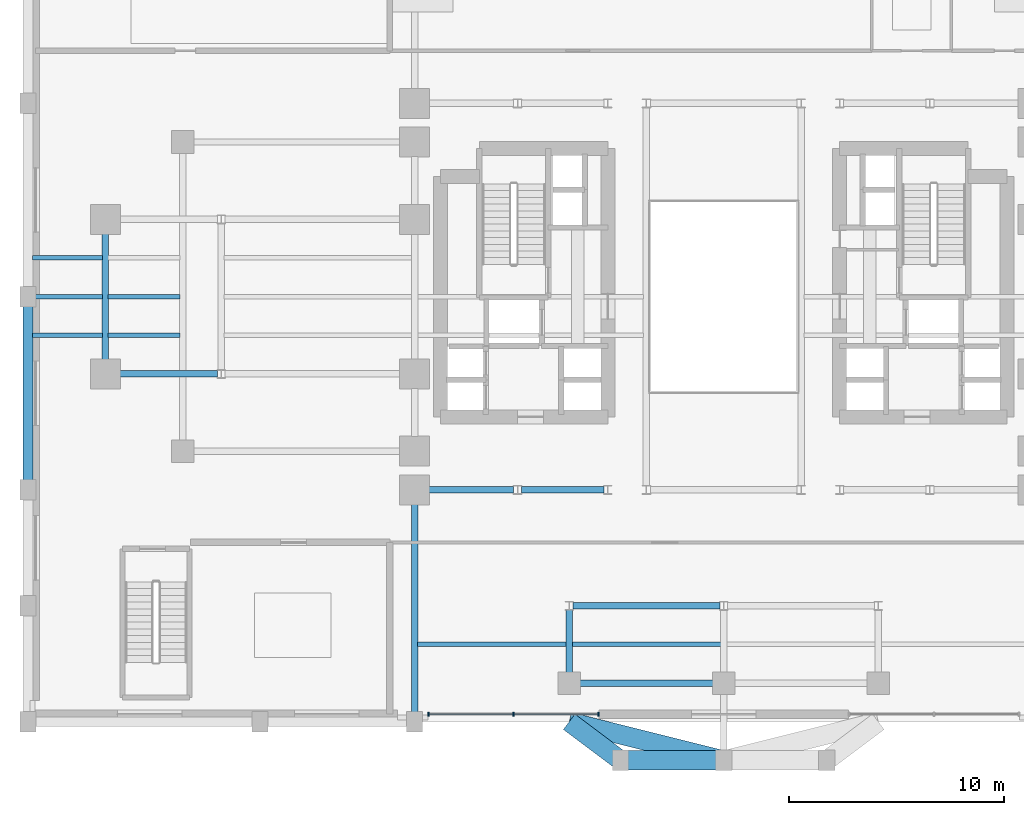
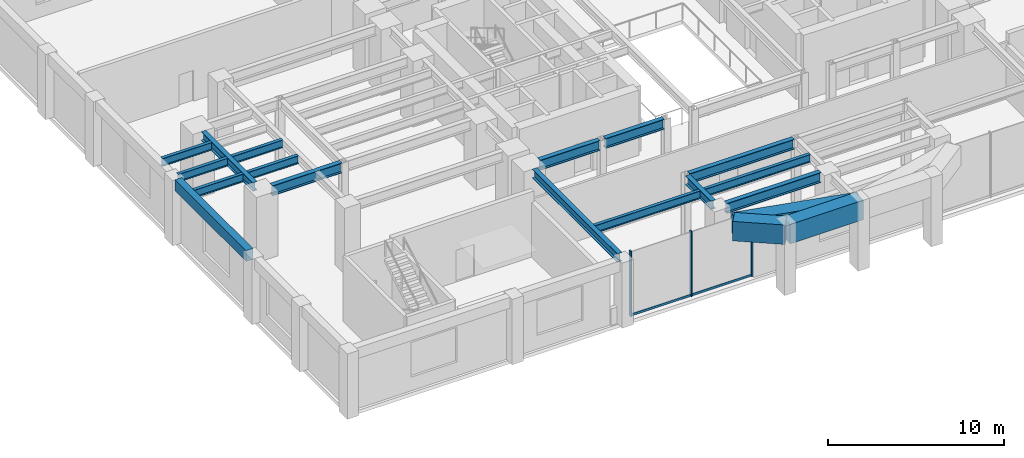
# One storey, part 4 of 14: 19 beams, 5 members, 1 element without a shape of its own.
"""IFC4 building model written with IfcOpenShell, lengths in metres."""

from ifc_helpers import new_model, si_unit, direction, frame, origin, origin_2d, place, context, subcontext, project, spatial, rectangle, i_section, extrude, source, transform, mapped, material, material_profile, profile_set, type_object, element, aggregate, save


model = new_model("IFC4")

# Units and contexts
model_context = context("Model", 3, precision=1e-05, world=origin(), true_north=direction((0.0, 1.0)))
body_context = subcontext(model_context, "Body", "Model", "MODEL_VIEW")
ifc_project = project(units=[si_unit("LENGTHUNIT", "METRE"), si_unit("AREAUNIT", "SQUARE_METRE"), si_unit("VOLUMEUNIT", "CUBIC_METRE"), si_unit("PLANEANGLEUNIT", "RADIAN"), si_unit("MASSUNIT", "GRAM", prefix="KILO")], contexts=[model_context])

# Site, building, storey
site_placement = place(None, origin())
site = spatial("IfcSite", under=ifc_project, at=site_placement, CompositionType="ELEMENT")
building_placement = place(site_placement, origin())
building = spatial("IfcBuilding", under=site, at=building_placement, Name="Keilestroom Media Tower", CompositionType="ELEMENT")
storey_placement = place(building_placement, frame((0.0, 0.0, 5.39990234375)))
storey = spatial("IfcBuildingStorey", under=building, at=storey_placement, Name="L01", CompositionType="ELEMENT", Elevation=5.39990234375)

# Beams
ifc_material_1 = material(Name="Concrete C55/67", Category="concrete")
ifc_material_profile_1 = material_profile(ifc_material_1, rectangle(XDim=0.89990234375, YDim=1.35009765625, at=origin_2d()), Name="RC 900x1350")
ifc_profile_set_1 = profile_set([ifc_material_profile_1], Name="Concrete C55/67")
beam_type_1 = type_object("IfcBeamType", Name="Primary-Structural-Girder-RC-900x1350", PredefinedType="BEAM", material=ifc_profile_set_1)
shared_shape_1 = source(origin(), body_context, "Body", "SweptSolid", [
    extrude(rectangle(XDim=0.89990234375, YDim=1.35009765625, at=origin_2d()), origin(), (0.0, 0.0, 1.0), 3.0),
])
beam_1_placement = place(storey_placement, frame((-4.800048828125, -21.60009765625, 4.10498046875), z_axis=(-0.799980468008, 0.600026041773, 0.0), x_axis=(-0.600026041773, -0.799980468008, 0.0)))
element("IfcBeam", 1, at=beam_1_placement, inside=storey, type_object=beam_type_1, Name="L01 South-Lobe Podium Tie Girder 1", PredefinedType="BEAM", context=body_context, shape_type="MappedRepresentation", body=[
    mapped(shared_shape_1, transform((0.0, 0.0, 0.0), x_axis=(1.0, 0.0, 0.0), y_axis=(0.0, 1.0, 0.0), z_axis=(0.0, 0.0, 1.0), scale=1.0)),
])
shared_shape_2 = source(origin(), body_context, "Body", "SweptSolid", [
    extrude(rectangle(XDim=0.89990234375, YDim=1.35009765625, at=origin_2d()), origin(), (0.0, 0.0, 1.0), 7.421630859375),
])
beam_2_placement = place(storey_placement, frame((0.0, -21.60009765625, 4.10498046875), z_axis=(-0.970140565046, 0.242543365301, 0.0), x_axis=(-0.242543365301, -0.970140565046, 0.0)))
element("IfcBeam", 2, at=beam_2_placement, inside=storey, type_object=beam_type_1, Name="L01 South-Lobe Podium Tie Girder 2", PredefinedType="BEAM", context=body_context, shape_type="MappedRepresentation", body=[
    mapped(shared_shape_2, transform((0.0, 0.0, 0.0), x_axis=(1.0, 0.0, 0.0), y_axis=(0.0, 1.0, 0.0), z_axis=(0.0, 0.0, 1.0), scale=1.0)),
])
shared_shape_3 = source(origin(), body_context, "Body", "SweptSolid", [
    extrude(rectangle(XDim=0.89990234375, YDim=1.35009765625, at=origin_2d()), origin(), (0.0, 0.0, 1.0), 4.800048828125),
])
beam_3_placement = place(storey_placement, frame((-4.800048828125, -21.60009765625, 4.10498046875), z_axis=(1.0, 0.0, 0.0), x_axis=(0.0, 1.0, 0.0)))
element("IfcBeam", 3, at=beam_3_placement, inside=storey, type_object=beam_type_1, Name="L01 South-Lobe Transverse Tie Girder W", PredefinedType="BEAM", context=body_context, shape_type="MappedRepresentation", body=[
    mapped(shared_shape_3, transform((0.0, 0.0, 0.0), x_axis=(1.0, 0.0, 0.0), y_axis=(0.0, 1.0, 0.0), z_axis=(0.0, 0.0, 1.0), scale=1.0)),
])
ifc_material_2 = material(Name="Precast concrete C40/50", Category="concrete")
ifc_material_profile_2 = material_profile(ifc_material_2, rectangle(XDim=0.449951171875, YDim=0.75, at=origin_2d()), Name="PC 450x750")
ifc_profile_set_2 = profile_set([ifc_material_profile_2], Name="Precast concrete C40/50")
beam_type_2 = type_object("IfcBeamType", Name="Perimeter-Spandrel-Beam-PC-450x750", PredefinedType="SPANDREL", material=ifc_profile_set_2)
shared_shape_4 = source(origin(), body_context, "Body", "SweptSolid", [
    extrude(rectangle(XDim=0.449951171875, YDim=0.75, at=origin_2d()), origin(), (0.0, 0.0, 1.0), 8.08984375),
])
beam_4_placement = place(storey_placement, frame((-32.39990234375, -8.544921875, 4.14501953125), z_axis=(0.0, 1.0, 0.0), x_axis=(-1.0, 0.0, 0.0)))
element("IfcBeam", 4, at=beam_4_placement, inside=storey, type_object=beam_type_2, Name="L01 Beam SPB-1 BM-L01-NS-047", PredefinedType="SPANDREL", context=body_context, shape_type="MappedRepresentation", body=[
    mapped(shared_shape_4, transform((0.0, 0.0, 0.0), x_axis=(1.0, 0.0, 0.0), y_axis=(0.0, 1.0, 0.0), z_axis=(0.0, 0.0, 1.0), scale=1.0)),
])
ifc_material_3 = material(Name="Steel S355", Category="steel")
ifc_material_profile_3 = material_profile(ifc_material_3, i_section(OverallWidth=0.300048828125, OverallDepth=0.60009765625, WebThickness=0.013427734375, FlangeThickness=0.030029296875, at=origin_2d()), Name="HEB 600")
ifc_profile_set_3 = profile_set([ifc_material_profile_3], Name="Steel S355")
beam_type_3 = type_object("IfcBeamType", Name="Primary-Structural-Girder-HEB-600", PredefinedType="BEAM", material=ifc_profile_set_3)
shared_shape_5 = source(origin(), body_context, "Body", "SweptSolid", [
    extrude(i_section(OverallWidth=0.300048828125, OverallDepth=0.60009765625, WebThickness=0.013427734375, FlangeThickness=0.030029296875, at=origin_2d()), origin(), (0.0, 0.0, 1.0), 5.83984375),
])
beam_5_placement = place(storey_placement, frame((-28.800048828125, -2.919921875, 4.22021484375), z_axis=(0.0, 1.0, 0.0), x_axis=(-1.0, 0.0, 0.0)))
element("IfcBeam", 5, at=beam_5_placement, inside=storey, type_object=beam_type_3, Name="L01 Beam BG-4 BM-L01-NS-051", PredefinedType="BEAM", context=body_context, shape_type="MappedRepresentation", body=[
    mapped(shared_shape_5, transform((0.0, 0.0, 0.0), x_axis=(1.0, 0.0, 0.0), y_axis=(0.0, 1.0, 0.0), z_axis=(0.0, 0.0, 1.0), scale=1.0)),
])
shared_shape_6 = source(origin(), body_context, "Body", "SweptSolid", [
    extrude(i_section(OverallWidth=0.300048828125, OverallDepth=0.60009765625, WebThickness=0.013427734375, FlangeThickness=0.030029296875, at=origin_2d()), origin(), (0.0, 0.0, 1.0), 9.6650390625),
])
beam_6_placement = place(storey_placement, frame((-14.39990234375, -19.344970703125, 4.22021484375), z_axis=(0.0, 1.0, 0.0), x_axis=(-1.0, 0.0, 0.0)))
element("IfcBeam", 6, at=beam_6_placement, inside=storey, type_object=beam_type_3, Name="L01 Beam BG-4 BM-L01-NS-054", PredefinedType="BEAM", context=body_context, shape_type="MappedRepresentation", body=[
    mapped(shared_shape_6, transform((0.0, 0.0, 0.0), x_axis=(1.0, 0.0, 0.0), y_axis=(0.0, 1.0, 0.0), z_axis=(0.0, 0.0, 1.0), scale=1.0)),
])
shared_shape_7 = source(origin(), body_context, "Body", "SweptSolid", [
    extrude(i_section(OverallWidth=0.300048828125, OverallDepth=0.60009765625, WebThickness=0.013427734375, FlangeThickness=0.030029296875, at=origin_2d()), origin(), (0.0, 0.0, 1.0), 2.9072265625),
])
beam_7_placement = place(storey_placement, frame((-7.199951171875, -17.4951171875, 4.22021484375), z_axis=(0.0, 1.0, 0.0), x_axis=(-1.0, 0.0, 0.0)))
element("IfcBeam", 7, at=beam_7_placement, inside=storey, type_object=beam_type_3, Name="L01 Beam BG-4 BM-L01-NS-062", PredefinedType="BEAM", context=body_context, shape_type="MappedRepresentation", body=[
    mapped(shared_shape_7, transform((0.0, 0.0, 0.0), x_axis=(1.0, 0.0, 0.0), y_axis=(0.0, 1.0, 0.0), z_axis=(0.0, 0.0, 1.0), scale=1.0)),
])
ifc_material_4 = material(Name="Steel S460", Category="steel")
ifc_material_profile_4 = material_profile(ifc_material_4, i_section(OverallWidth=0.300048828125, OverallDepth=0.699951171875, WebThickness=0.014404296875, FlangeThickness=0.031982421875, at=origin_2d()), Name="HEB 700")
ifc_profile_set_4 = profile_set([ifc_material_profile_4], Name="Steel S460")
beam_type_4 = type_object("IfcBeamType", Name="Primary-Structural-Girder-HEB-700", PredefinedType="BEAM", material=ifc_profile_set_4)
shared_shape_8 = source(origin(), body_context, "Body", "SweptSolid", [
    extrude(i_section(OverallWidth=0.300048828125, OverallDepth=0.699951171875, WebThickness=0.014404296875, FlangeThickness=0.031982421875, at=origin_2d()), origin(), (0.0, 0.0, 1.0), 6.190185546875),
])
beam_8_placement = place(storey_placement, frame((-6.695068359375, -18.0, 4.170166015625), z_axis=(1.0, 0.0, 0.0), x_axis=(0.0, 1.0, 0.0)))
element("IfcBeam", 8, at=beam_8_placement, inside=storey, type_object=beam_type_4, Name="L01 Beam BG-2 BM-L01-EW-005", PredefinedType="BEAM", context=body_context, shape_type="MappedRepresentation", body=[
    mapped(shared_shape_8, transform((0.0, 0.0, 0.0), x_axis=(1.0, 0.0, 0.0), y_axis=(0.0, 1.0, 0.0), z_axis=(0.0, 0.0, 1.0), scale=1.0)),
])
shared_shape_9 = source(origin(), body_context, "Body", "SweptSolid", [
    extrude(i_section(OverallWidth=0.300048828125, OverallDepth=0.699951171875, WebThickness=0.014404296875, FlangeThickness=0.031982421875, at=origin_2d()), origin(), (0.0, 0.0, 1.0), 6.833984375),
])
beam_9_placement = place(storey_placement, frame((-7.01708984375, -14.39990234375, 4.170166015625), z_axis=(1.0, 0.0, 0.0), x_axis=(0.0, 1.0, 0.0)))
element("IfcBeam", 9, at=beam_9_placement, inside=storey, type_object=beam_type_4, Name="L01 Beam BG-2 BM-L01-EW-007", PredefinedType="BEAM", context=body_context, shape_type="MappedRepresentation", body=[
    mapped(shared_shape_9, transform((0.0, 0.0, 0.0), x_axis=(1.0, 0.0, 0.0), y_axis=(0.0, 1.0, 0.0), z_axis=(0.0, 0.0, 1.0), scale=1.0)),
])
shared_shape_10 = source(origin(), body_context, "Body", "SweptSolid", [
    extrude(i_section(OverallWidth=0.300048828125, OverallDepth=0.699951171875, WebThickness=0.014404296875, FlangeThickness=0.031982421875, at=origin_2d()), origin(), (0.0, 0.0, 1.0), 3.93701171875),
])
beam_10_placement = place(storey_placement, frame((-13.719970703125, -9.0, 4.170166015625), z_axis=(1.0, 0.0, 0.0), x_axis=(0.0, 1.0, 0.0)))
element("IfcBeam", 10, at=beam_10_placement, inside=storey, type_object=beam_type_4, Name="L01 Beam BG-2 BM-L01-EW-009", PredefinedType="BEAM", context=body_context, shape_type="MappedRepresentation", body=[
    mapped(shared_shape_10, transform((0.0, 0.0, 0.0), x_axis=(1.0, 0.0, 0.0), y_axis=(0.0, 1.0, 0.0), z_axis=(0.0, 0.0, 1.0), scale=1.0)),
])
shared_shape_11 = source(origin(), body_context, "Body", "SweptSolid", [
    extrude(i_section(OverallWidth=0.300048828125, OverallDepth=0.699951171875, WebThickness=0.014404296875, FlangeThickness=0.031982421875, at=origin_2d()), origin(), (0.0, 0.0, 1.0), 3.833984375),
])
beam_11_placement = place(storey_placement, frame((-9.4169921875, -9.0, 4.170166015625), z_axis=(1.0, 0.0, 0.0), x_axis=(0.0, 1.0, 0.0)))
element("IfcBeam", 11, at=beam_11_placement, inside=storey, type_object=beam_type_4, Name="L01 Beam BG-2 BM-L01-EW-010", PredefinedType="BEAM", context=body_context, shape_type="MappedRepresentation", body=[
    mapped(shared_shape_11, transform((0.0, 0.0, 0.0), x_axis=(1.0, 0.0, 0.0), y_axis=(0.0, 1.0, 0.0), z_axis=(0.0, 0.0, 1.0), scale=1.0)),
])
shared_shape_12 = source(origin(), body_context, "Body", "SweptSolid", [
    extrude(i_section(OverallWidth=0.300048828125, OverallDepth=0.699951171875, WebThickness=0.014404296875, FlangeThickness=0.031982421875, at=origin_2d()), origin(), (0.0, 0.0, 1.0), 4.537109375),
])
beam_12_placement = place(storey_placement, frame((-28.1201171875, -3.60009765625, 4.170166015625), z_axis=(1.0, 0.0, 0.0), x_axis=(0.0, 1.0, 0.0)))
element("IfcBeam", 12, at=beam_12_placement, inside=storey, type_object=beam_type_4, Name="L01 Beam BG-2 BM-L01-EW-018", PredefinedType="BEAM", context=body_context, shape_type="MappedRepresentation", body=[
    mapped(shared_shape_12, transform((0.0, 0.0, 0.0), x_axis=(1.0, 0.0, 0.0), y_axis=(0.0, 1.0, 0.0), z_axis=(0.0, 0.0, 1.0), scale=1.0)),
])
ifc_material_profile_5 = material_profile(ifc_material_3, i_section(OverallWidth=0.2099609375, OverallDepth=0.550048828125, WebThickness=0.010986328125, FlangeThickness=0.01708984375, at=origin_2d()), Name="IPE 550")
ifc_profile_set_5 = profile_set([ifc_material_profile_5], Name="Steel S355")
beam_type_5 = type_object("IfcBeamType", Name="Secondary-Floor-Joist-IPE-550", PredefinedType="JOIST", material=ifc_profile_set_5)
shared_shape_13 = source(origin(), body_context, "Body", "SweptSolid", [
    extrude(i_section(OverallWidth=0.2099609375, OverallDepth=0.550048828125, WebThickness=0.010986328125, FlangeThickness=0.01708984375, at=origin_2d()), origin(), (0.0, 0.0, 1.0), 6.93994140625),
])
beam_13_placement = place(storey_placement, frame((-14.27001953125, -16.199951171875, 4.2451171875), z_axis=(1.0, 0.0, 0.0), x_axis=(0.0, 1.0, 0.0)))
element("IfcBeam", 13, at=beam_13_placement, inside=storey, type_object=beam_type_5, Name="L01 Beam BJ-1 JST-L01-091", PredefinedType="JOIST", context=body_context, shape_type="MappedRepresentation", body=[
    mapped(shared_shape_13, transform((0.0, 0.0, 0.0), x_axis=(1.0, 0.0, 0.0), y_axis=(0.0, 1.0, 0.0), z_axis=(0.0, 0.0, 1.0), scale=1.0)),
])
shared_shape_14 = source(origin(), body_context, "Body", "SweptSolid", [
    extrude(i_section(OverallWidth=0.2099609375, OverallDepth=0.550048828125, WebThickness=0.010986328125, FlangeThickness=0.01708984375, at=origin_2d()), origin(), (0.0, 0.0, 1.0), 6.940185546875),
])
beam_14_placement = place(storey_placement, frame((-7.070068359375, -16.199951171875, 4.2451171875), z_axis=(1.0, 0.0, 0.0), x_axis=(0.0, 1.0, 0.0)))
element("IfcBeam", 14, at=beam_14_placement, inside=storey, type_object=beam_type_5, Name="L01 Beam BJ-1 JST-L01-092", PredefinedType="JOIST", context=body_context, shape_type="MappedRepresentation", body=[
    mapped(shared_shape_14, transform((0.0, 0.0, 0.0), x_axis=(1.0, 0.0, 0.0), y_axis=(0.0, 1.0, 0.0), z_axis=(0.0, 0.0, 1.0), scale=1.0)),
])
shared_shape_15 = source(origin(), body_context, "Body", "SweptSolid", [
    extrude(i_section(OverallWidth=0.2099609375, OverallDepth=0.550048828125, WebThickness=0.010986328125, FlangeThickness=0.01708984375, at=origin_2d()), origin(), (0.0, 0.0, 1.0), 3.26513671875),
])
for number, where, z_axis, x_axis, name in (
    (15, (-32.195068359375, -1.800048828125, 4.2451171875), (1.0, 0.0, 0.0), (0.0, 1.0, 0.0), "L01 Beam BJ-1 JST-L01-095"),
    (16, (-32.195068359375, 0.0, 4.2451171875), (1.0, 0.0, 0.0), (0.0, 1.0, 0.0), "L01 Beam BJ-1 JST-L01-104"),
    (17, (-32.195068359375, 1.800048828125, 4.2451171875), (1.0, 0.0, 0.0), (0.0, 1.0, 0.0), "L01 Beam BJ-1 JST-L01-113"),
):
    element("IfcBeam", number, at=place(storey_placement, frame(where, z_axis=z_axis, x_axis=x_axis)), inside=storey, type_object=beam_type_5, Name=name, PredefinedType="JOIST", context=body_context, shape_type="MappedRepresentation", body=[
        mapped(shared_shape_15, transform((0.0, 0.0, 0.0), x_axis=(1.0, 0.0, 0.0), y_axis=(0.0, 1.0, 0.0), z_axis=(0.0, 0.0, 1.0), scale=1.0)),
    ])
shared_shape_16 = source(origin(), body_context, "Body", "SweptSolid", [
    extrude(i_section(OverallWidth=0.2099609375, OverallDepth=0.550048828125, WebThickness=0.010986328125, FlangeThickness=0.01708984375, at=origin_2d()), origin(), (0.0, 0.0, 1.0), 3.33984375),
])
for number, where, z_axis, x_axis, name in (
    (18, (-28.669921875, -1.800048828125, 4.2451171875), (1.0, 0.0, 0.0), (0.0, 1.0, 0.0), "L01 Beam BJ-1 JST-L01-096"),
    (19, (-28.669921875, 0.0, 4.2451171875), (1.0, 0.0, 0.0), (0.0, 1.0, 0.0), "L01 Beam BJ-1 JST-L01-105"),
):
    element("IfcBeam", number, at=place(storey_placement, frame(where, z_axis=z_axis, x_axis=x_axis)), inside=storey, type_object=beam_type_5, Name=name, PredefinedType="JOIST", context=body_context, shape_type="MappedRepresentation", body=[
        mapped(shared_shape_16, transform((0.0, 0.0, 0.0), x_axis=(1.0, 0.0, 0.0), y_axis=(0.0, 1.0, 0.0), z_axis=(0.0, 0.0, 1.0), scale=1.0)),
    ])

# Curtain wall, members
ifc_material_5 = material(Name="Anodised Aluminium Alloy", Category="aluminium")
curtain_wall_type = type_object("IfcCurtainWallType", Name="Unitised-Curtain-Wall-CW-7", PredefinedType="NOTDEFINED", material=ifc_material_5)
curtain_wall_placement = place(storey_placement, origin())
curtain_wall = element("IfcCurtainWall", 20, at=curtain_wall_placement, inside=storey, type_object=curtain_wall_type, Name="L01 Curtain Wall CW-7 CW-L01-S-ATR", PredefinedType="NOTDEFINED")
ifc_material_profile_6 = material_profile(ifc_material_5, rectangle(XDim=0.06494140625, YDim=0.14990234375, at=origin_2d()), Name="ALU TRANSOM 65x150")
ifc_profile_set_6 = profile_set([ifc_material_profile_6], Name="Anodised Aluminium Alloy")
member_type_1 = type_object("IfcMemberType", Name="Curtain-Wall-Transom-CW-7", PredefinedType="USERDEFINED", material=ifc_profile_set_6)
shared_shape_17 = source(origin(), body_context, "Body", "SweptSolid", [
    extrude(rectangle(XDim=0.06494140625, YDim=0.14990234375, at=origin_2d()), origin(), (0.0, 0.0, 1.0), 3.888916015625),
])
member_1_placement = place(storey_placement, frame((-13.7119140625, -19.449951171875, 0.0751953125), z_axis=(1.0, 0.0, 0.0), x_axis=(0.0, 1.0, 0.0)))
member_1 = element("IfcMember", 21, at=member_1_placement, type_object=member_type_1, Name="CW-7 Transom 00.1", ObjectType="TRANSOM", PredefinedType="USERDEFINED", context=body_context, shape_type="MappedRepresentation", body=[
    mapped(shared_shape_17, transform((0.0, 0.0, 0.0), x_axis=(1.0, 0.0, 0.0), y_axis=(0.0, 1.0, 0.0), z_axis=(0.0, 0.0, 1.0), scale=1.0)),
])
shared_shape_18 = source(origin(), body_context, "Body", "SweptSolid", [
    extrude(rectangle(XDim=0.06494140625, YDim=0.14990234375, at=origin_2d()), origin(), (0.0, 0.0, 1.0), 3.88916015625),
])
member_2_placement = place(storey_placement, frame((-9.757080078125, -19.449951171875, 0.0751953125), z_axis=(1.0, 0.0, 0.0), x_axis=(0.0, 1.0, 0.0)))
member_2 = element("IfcMember", 22, at=member_2_placement, type_object=member_type_1, Name="CW-7 Transom 01.1", ObjectType="TRANSOM", PredefinedType="USERDEFINED", context=body_context, shape_type="MappedRepresentation", body=[
    mapped(shared_shape_18, transform((0.0, 0.0, 0.0), x_axis=(1.0, 0.0, 0.0), y_axis=(0.0, 1.0, 0.0), z_axis=(0.0, 0.0, 1.0), scale=1.0)),
])
ifc_material_profile_7 = material_profile(ifc_material_5, rectangle(XDim=0.070068359375, YDim=0.199951171875, at=origin_2d()), Name="ALU MULLION 70x200")
ifc_profile_set_7 = profile_set([ifc_material_profile_7], Name="Anodised Aluminium Alloy")
member_type_2 = type_object("IfcMemberType", Name="Curtain-Wall-Mullion-CW-7", PredefinedType="MULLION", material=ifc_profile_set_7)
shared_shape_19 = source(origin(), body_context, "Body", "SweptSolid", [
    extrude(rectangle(XDim=0.070068359375, YDim=0.199951171875, at=origin_2d()), origin(), (0.0, 0.0, 1.0), 4.52001953125),
])
member_3_placement = place(storey_placement, frame((-13.7451171875, -19.449951171875, 0.0), z_axis=(0.0, 0.0, 1.0), x_axis=(1.0, 0.0, 0.0)))
member_3 = element("IfcMember", 23, at=member_3_placement, type_object=member_type_2, Name="CW-7 Mullion 00", PredefinedType="MULLION", context=body_context, shape_type="MappedRepresentation", body=[
    mapped(shared_shape_19, transform((0.0, 0.0, 0.0), x_axis=(1.0, 0.0, 0.0), y_axis=(0.0, 1.0, 0.0), z_axis=(0.0, 0.0, 1.0), scale=1.0)),
])
member_4_placement = place(storey_placement, frame((-9.7900390625, -19.449951171875, 0.0), z_axis=(0.0, 0.0, 1.0), x_axis=(1.0, 0.0, 0.0)))
member_4 = element("IfcMember", 24, at=member_4_placement, type_object=member_type_2, Name="CW-7 Mullion 01", PredefinedType="MULLION", context=body_context, shape_type="MappedRepresentation", body=[
    mapped(shared_shape_19, transform((0.0, 0.0, 0.0), x_axis=(1.0, 0.0, 0.0), y_axis=(0.0, 1.0, 0.0), z_axis=(0.0, 0.0, 1.0), scale=1.0)),
])
member_5_placement = place(storey_placement, frame((-5.8349609375, -19.449951171875, 0.0), z_axis=(0.0, 0.0, 1.0), x_axis=(1.0, 0.0, 0.0)))
member_5 = element("IfcMember", 25, at=member_5_placement, type_object=member_type_2, Name="CW-7 Mullion 02", PredefinedType="MULLION", context=body_context, shape_type="MappedRepresentation", body=[
    mapped(shared_shape_19, transform((0.0, 0.0, 0.0), x_axis=(1.0, 0.0, 0.0), y_axis=(0.0, 1.0, 0.0), z_axis=(0.0, 0.0, 1.0), scale=1.0)),
])
aggregate(curtain_wall, [member_3, member_4, member_5, member_1, member_2])

save(model, "model.ifc")
